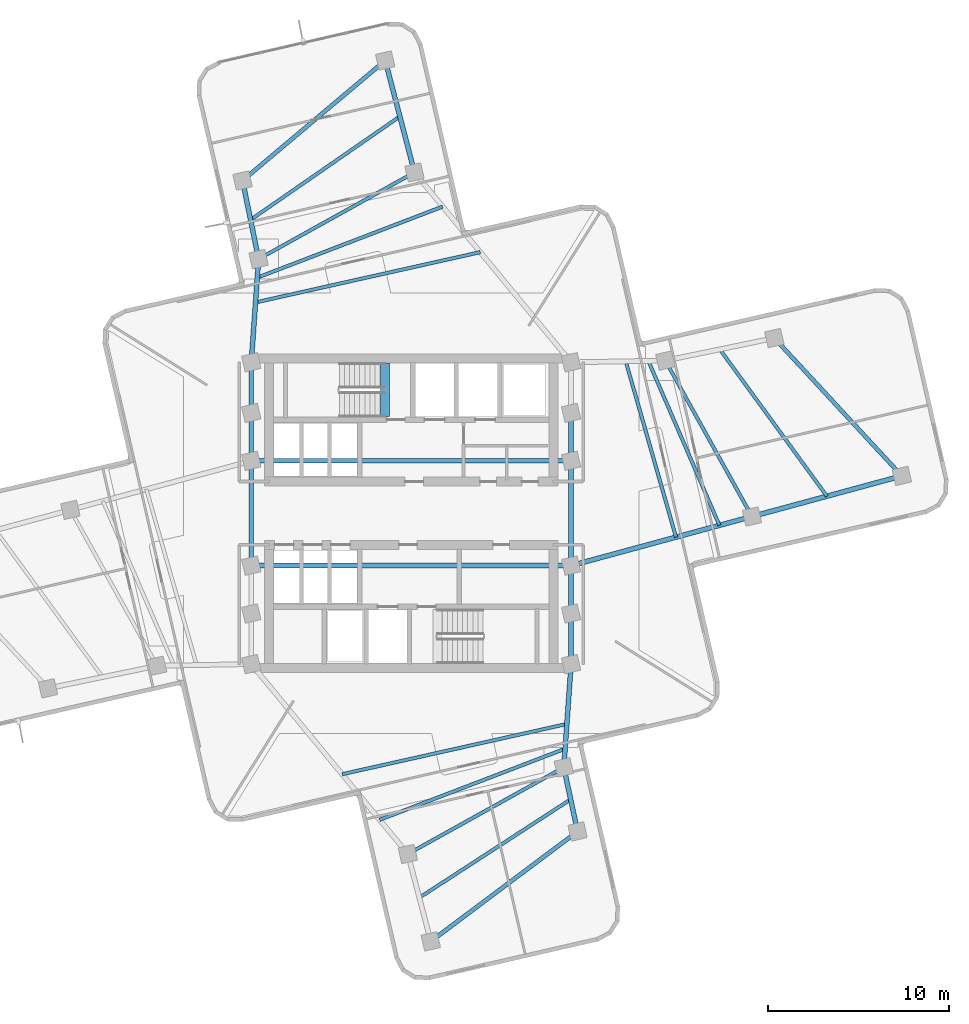
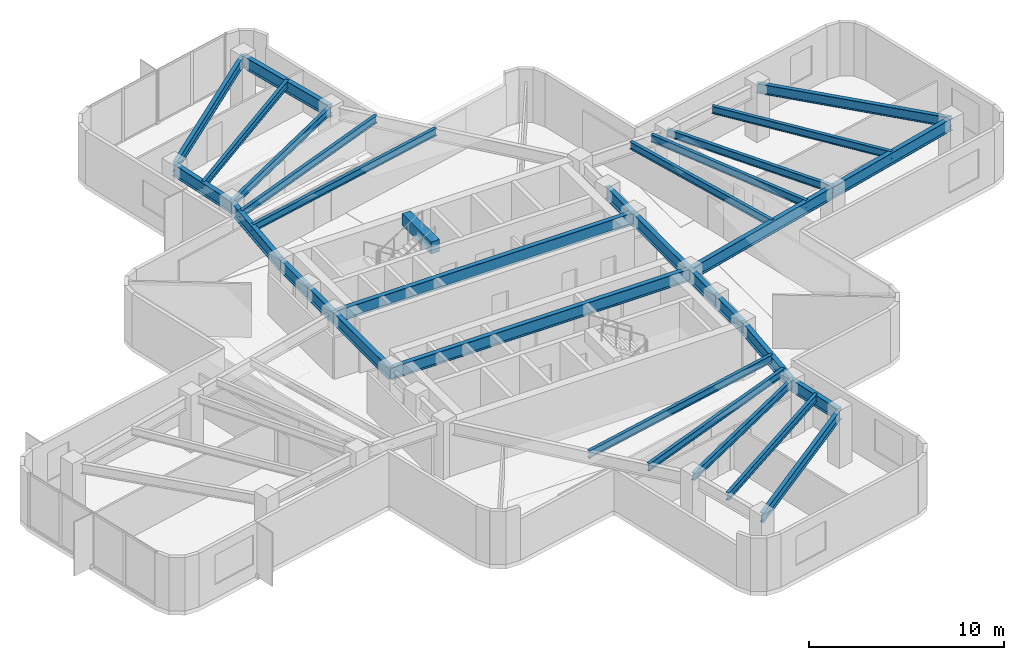
# One storey, part 3 of 11: 32 beams.
"""IFC4 building model written with IfcOpenShell, lengths in metres."""

from ifc_helpers import new_model, si_unit, direction, frame, origin, origin_2d, place, context, subcontext, project, spatial, rectangle, i_section, extrude, material, material_profile, profile_set, type_object, element, save


model = new_model("IFC4")

# Units and contexts
model_context = context("Model", 3, precision=1e-05, world=origin(), true_north=direction((0.0, 1.0)))
body_context = subcontext(model_context, "Body", "Model", "MODEL_VIEW")
ifc_project = project(units=[si_unit("LENGTHUNIT", "METRE"), si_unit("AREAUNIT", "SQUARE_METRE"), si_unit("VOLUMEUNIT", "CUBIC_METRE"), si_unit("PLANEANGLEUNIT", "RADIAN"), si_unit("MASSUNIT", "GRAM", prefix="KILO")], contexts=[model_context])

# Site, building, storey
site_placement = place(None, origin())
site = spatial("IfcSite", under=ifc_project, at=site_placement, CompositionType="ELEMENT")
building_placement = place(site_placement, origin())
building = spatial("IfcBuilding", under=site, at=building_placement, Name="Solmarez Civic Tower", CompositionType="ELEMENT")
storey_placement = place(building_placement, frame((0.0, 0.0, 119.8798828125)))
storey = spatial("IfcBuildingStorey", under=building, at=storey_placement, Name="L31", CompositionType="ELEMENT", Elevation=119.8798828125)

# Beams
ifc_material_1 = material(Name="Steel S355", Category="steel")
ifc_material_profile_1 = material_profile(ifc_material_1, i_section(OverallWidth=0.19189453125, OverallDepth=0.462890625, WebThickness=0.010498046875, FlangeThickness=0.017578125, at=origin_2d()), Name="W18X60")
ifc_profile_set_1 = profile_set([ifc_material_profile_1], Name="Steel S355")
beam_type_1 = type_object("IfcBeamType", Name="BM-JS-W18X60", PredefinedType="JOIST", material=ifc_profile_set_1)
beam_1_placement = place(storey_placement, frame((18.860107421875, -0.18310546875, 3.109130859375), z_axis=(-0.485852902718, 0.874040592261, 0.0), x_axis=(-0.874040592261, -0.485852902718, 0.0)))
element("IfcBeam", 1, at=beam_1_placement, inside=storey, type_object=beam_type_1, Name="L31 Secondary Floor Joist BM-L31-EA-T1", PredefinedType="JOIST", context=body_context, shape_type="SweptSolid", body=[
    extrude(i_section(OverallWidth=0.19189453125, OverallDepth=0.462890625, WebThickness=0.010498046875, FlangeThickness=0.017578125, at=origin_2d()), origin(), (0.0, 0.0, 1.0), 9.87158203125),
])
beam_2_placement = place(storey_placement, frame((23.006103515625, 0.94091796875, 3.109130859375), z_axis=(-0.589058914091, 0.808090091345, 0.0), x_axis=(-0.808090091345, -0.589058914091, 0.0)))
element("IfcBeam", 2, at=beam_2_placement, inside=storey, type_object=beam_type_1, Name="L31 Secondary Floor Joist JS-L31-EA-M2", PredefinedType="JOIST", context=body_context, shape_type="SweptSolid", body=[
    extrude(i_section(OverallWidth=0.19189453125, OverallDepth=0.462890625, WebThickness=0.010498046875, FlangeThickness=0.017578125, at=origin_2d()), origin(), (0.0, 0.0, 1.0), 10.05859375),
])
beam_3_placement = place(storey_placement, frame((14.656005859375, -1.323974609375, 3.109130859375), z_axis=(-0.27492825036, 0.961464745664, 0.0), x_axis=(-0.961464745664, -0.27492825036, 0.0)))
element("IfcBeam", 3, at=beam_3_placement, inside=storey, type_object=beam_type_1, Name="L31 Secondary Floor Joist JS-L31-EA-M11", PredefinedType="JOIST", context=body_context, shape_type="SweptSolid", body=[
    extrude(i_section(OverallWidth=0.19189453125, OverallDepth=0.462890625, WebThickness=0.010498046875, FlangeThickness=0.017578125, at=origin_2d()), origin(), (0.0, 0.0, 1.0), 10.118896484375),
])
beam_4_placement = place(storey_placement, frame((17.05810546875, -0.672119140625, 3.109130859375), z_axis=(-0.396735074316, 0.917933157048, 0.0), x_axis=(-0.917933157048, -0.396735074316, 0.0)))
element("IfcBeam", 4, at=beam_4_placement, inside=storey, type_object=beam_type_1, Name="L31 Secondary Floor Joist JS-L31-EA-M12", PredefinedType="JOIST", context=body_context, shape_type="SweptSolid", body=[
    extrude(i_section(OverallWidth=0.19189453125, OverallDepth=0.462890625, WebThickness=0.010498046875, FlangeThickness=0.017578125, at=origin_2d()), origin(), (0.0, 0.0, 1.0), 9.91357421875),
])
beam_5_placement = place(storey_placement, frame((0.18310546875, 18.860107421875, 3.109130859375), z_axis=(-0.874040592261, -0.485852902718, 0.0), x_axis=(0.485852902718, -0.874040592261, 0.0)))
element("IfcBeam", 5, at=beam_5_placement, inside=storey, type_object=beam_type_1, Name="L31 Secondary Floor Joist BM-L31-NA-T1", PredefinedType="JOIST", context=body_context, shape_type="SweptSolid", body=[
    extrude(i_section(OverallWidth=0.19189453125, OverallDepth=0.462890625, WebThickness=0.010498046875, FlangeThickness=0.017578125, at=origin_2d()), origin(), (0.0, 0.0, 1.0), 9.87158203125),
])
beam_6_placement = place(storey_placement, frame((-0.626953125, 21.9560546875, 3.109130859375), z_axis=(-0.822185194468, -0.56922008573, 0.0), x_axis=(0.56922008573, -0.822185194468, 0.0)))
element("IfcBeam", 6, at=beam_6_placement, inside=storey, type_object=beam_type_1, Name="L31 Secondary Floor Joist JS-L31-NA-M2", PredefinedType="JOIST", context=body_context, shape_type="SweptSolid", body=[
    extrude(i_section(OverallWidth=0.19189453125, OverallDepth=0.462890625, WebThickness=0.010498046875, FlangeThickness=0.017578125, at=origin_2d()), origin(), (0.0, 0.0, 1.0), 10.048828125),
])
beam_7_placement = place(storey_placement, frame((3.822998046875, 14.446044921875, 3.109130859375), z_axis=(-0.975887310906, -0.218274955988, 0.0), x_axis=(0.218274955988, -0.975887310906, 0.0)))
element("IfcBeam", 7, at=beam_7_placement, inside=storey, type_object=beam_type_1, Name="L31 Secondary Floor Joist JS-L31-NA-M11", PredefinedType="JOIST", context=body_context, shape_type="SweptSolid", body=[
    extrude(i_section(OverallWidth=0.19189453125, OverallDepth=0.462890625, WebThickness=0.010498046875, FlangeThickness=0.017578125, at=origin_2d()), origin(), (0.0, 0.0, 1.0), 12.745361328125),
])
beam_8_placement = place(storey_placement, frame((1.742919921875, 16.968017578125, 3.109130859375), z_axis=(-0.933754408709, -0.357914381125, 0.0), x_axis=(0.357914381125, -0.933754408709, 0.0)))
element("IfcBeam", 8, at=beam_8_placement, inside=storey, type_object=beam_type_1, Name="L31 Secondary Floor Joist JS-L31-NA-M12", PredefinedType="JOIST", context=body_context, shape_type="SweptSolid", body=[
    extrude(i_section(OverallWidth=0.19189453125, OverallDepth=0.462890625, WebThickness=0.010498046875, FlangeThickness=0.017578125, at=origin_2d()), origin(), (0.0, 0.0, 1.0), 10.989013671875),
])
beam_9_placement = place(storey_placement, frame((-0.18310546875, -18.860107421875, 3.109130859375), z_axis=(0.874040592261, 0.485852902718, 0.0), x_axis=(-0.485852902718, 0.874040592261, 0.0)))
element("IfcBeam", 9, at=beam_9_placement, inside=storey, type_object=beam_type_1, Name="L31 Secondary Floor Joist BM-L31-SA-T1", PredefinedType="JOIST", context=body_context, shape_type="SweptSolid", body=[
    extrude(i_section(OverallWidth=0.19189453125, OverallDepth=0.462890625, WebThickness=0.010498046875, FlangeThickness=0.017578125, at=origin_2d()), origin(), (0.0, 0.0, 1.0), 9.87158203125),
])
beam_10_placement = place(storey_placement, frame((0.449951171875, -21.279052734375, 3.109130859375), z_axis=(0.83864684805, 0.54467555871, 0.0), x_axis=(-0.54467555871, 0.83864684805, 0.0)))
element("IfcBeam", 10, at=beam_10_placement, inside=storey, type_object=beam_type_1, Name="L31 Secondary Floor Joist JS-L31-SA-M2", PredefinedType="JOIST", context=body_context, shape_type="SweptSolid", body=[
    extrude(i_section(OverallWidth=0.19189453125, OverallDepth=0.462890625, WebThickness=0.010498046875, FlangeThickness=0.017578125, at=origin_2d()), origin(), (0.0, 0.0, 1.0), 9.987548828125),
])
beam_11_placement = place(storey_placement, frame((-3.822998046875, -14.446044921875, 3.109130859375), z_axis=(0.975887310906, 0.218274955988, 0.0), x_axis=(-0.218274955988, 0.975887310906, 0.0)))
element("IfcBeam", 11, at=beam_11_placement, inside=storey, type_object=beam_type_1, Name="L31 Secondary Floor Joist JS-L31-SA-M11", PredefinedType="JOIST", context=body_context, shape_type="SweptSolid", body=[
    extrude(i_section(OverallWidth=0.19189453125, OverallDepth=0.462890625, WebThickness=0.010498046875, FlangeThickness=0.017578125, at=origin_2d()), origin(), (0.0, 0.0, 1.0), 12.745361328125),
])
beam_12_placement = place(storey_placement, frame((-1.742919921875, -16.968017578125, 3.109130859375), z_axis=(0.933754408709, 0.357914381125, 0.0), x_axis=(-0.357914381125, 0.933754408709, 0.0)))
element("IfcBeam", 12, at=beam_12_placement, inside=storey, type_object=beam_type_1, Name="L31 Secondary Floor Joist JS-L31-SA-M12", PredefinedType="JOIST", context=body_context, shape_type="SweptSolid", body=[
    extrude(i_section(OverallWidth=0.19189453125, OverallDepth=0.462890625, WebThickness=0.010498046875, FlangeThickness=0.017578125, at=origin_2d()), origin(), (0.0, 0.0, 1.0), 10.989013671875),
])
ifc_material_2 = material(Name="Concrete C50/60", Category="concrete")
ifc_material_profile_2 = material_profile(ifc_material_2, rectangle(XDim=0.5, YDim=0.75, at=origin_2d()), Name="RC500X750")
ifc_profile_set_2 = profile_set([ifc_material_profile_2], Name="Concrete C50/60")
beam_type_2 = type_object("IfcBeamType", Name="BM-PR-RC500X750", PredefinedType="BEAM", material=ifc_profile_set_2)
beam_13_placement = place(storey_placement, frame((-1.449951171875, 5.340087890625, 3.233154296875), z_axis=(0.0, 1.0, 0.0), x_axis=(-1.0, 0.0, 0.0)))
element("IfcBeam", 13, at=beam_13_placement, inside=storey, type_object=beam_type_2, Name="L31 North Stair Threshold Beam", PredefinedType="BEAM", context=body_context, shape_type="SweptSolid", body=[
    extrude(rectangle(XDim=0.5, YDim=0.75, at=origin_2d()), origin(), (0.0, 0.0, 1.0), 2.9599609375),
])
ifc_material_profile_3 = material_profile(ifc_material_1, i_section(OverallWidth=0.26708984375, OverallDepth=0.761962890625, WebThickness=0.014404296875, FlangeThickness=0.021484375, at=origin_2d()), Name="W30X116")
ifc_profile_set_3 = profile_set([ifc_material_profile_3], Name="Steel S355")
beam_type_3 = type_object("IfcBeamType", Name="BM-PR-W30X116", PredefinedType="BEAM", material=ifc_profile_set_3)
beam_14_placement = place(storey_placement, frame((-8.85009765625, -2.89990234375, 2.959228515625), z_axis=(0.0, 1.0, 0.0), x_axis=(-1.0, 0.0, 0.0)))
element("IfcBeam", 14, at=beam_14_placement, inside=storey, type_object=beam_type_3, Name="L31 Primary Floor Beam BM-L31-HC2-HC3", PredefinedType="BEAM", context=body_context, shape_type="SweptSolid", body=[
    extrude(i_section(OverallWidth=0.26708984375, OverallDepth=0.761962890625, WebThickness=0.014404296875, FlangeThickness=0.021484375, at=origin_2d()), origin(), (0.0, 0.0, 1.0), 5.7998046875),
])
beam_15_placement = place(storey_placement, frame((-8.85009765625, 2.89990234375, 2.959228515625), z_axis=(0.0, 1.0, 0.0), x_axis=(-1.0, 0.0, 0.0)))
element("IfcBeam", 15, at=beam_15_placement, inside=storey, type_object=beam_type_3, Name="L31 Primary Floor Beam BM-L31-HC3-HC4", PredefinedType="BEAM", context=body_context, shape_type="SweptSolid", body=[
    extrude(i_section(OverallWidth=0.26708984375, OverallDepth=0.761962890625, WebThickness=0.014404296875, FlangeThickness=0.021484375, at=origin_2d()), origin(), (0.0, 0.0, 1.0), 2.650146484375),
])
for number, where, z_axis, x_axis, name in (
    (16, (-8.85009765625, 5.550048828125, 2.959228515625), (0.0, 1.0, 0.0), (-1.0, 0.0, 0.0), "L31 Primary Floor Beam BM-L31-HC4-HC9"),
    (17, (8.85009765625, -8.35009765625, 2.959228515625), (0.0, 1.0, 0.0), (-1.0, 0.0, 0.0), "L31 Primary Floor Beam BM-L31-HC10-HC5"),
):
    element("IfcBeam", number, at=place(storey_placement, frame(where, z_axis=z_axis, x_axis=x_axis)), inside=storey, type_object=beam_type_3, Name=name, PredefinedType="BEAM", context=body_context, shape_type="SweptSolid", body=[
        extrude(i_section(OverallWidth=0.26708984375, OverallDepth=0.761962890625, WebThickness=0.014404296875, FlangeThickness=0.021484375, at=origin_2d()), origin(), (0.0, 0.0, 1.0), 2.800048828125),
    ])
beam_16_placement = place(storey_placement, frame((8.85009765625, -5.550048828125, 2.959228515625), z_axis=(0.0, 1.0, 0.0), x_axis=(-1.0, 0.0, 0.0)))
element("IfcBeam", 18, at=beam_16_placement, inside=storey, type_object=beam_type_3, Name="L31 Primary Floor Beam BM-L31-HC5-HC6", PredefinedType="BEAM", context=body_context, shape_type="SweptSolid", body=[
    extrude(i_section(OverallWidth=0.26708984375, OverallDepth=0.761962890625, WebThickness=0.014404296875, FlangeThickness=0.021484375, at=origin_2d()), origin(), (0.0, 0.0, 1.0), 2.650146484375),
])
beam_17_placement = place(storey_placement, frame((8.85009765625, -2.89990234375, 2.959228515625), z_axis=(0.0, 1.0, 0.0), x_axis=(-1.0, 0.0, 0.0)))
element("IfcBeam", 19, at=beam_17_placement, inside=storey, type_object=beam_type_3, Name="L31 Primary Floor Beam BM-L31-HC6-HC7", PredefinedType="BEAM", context=body_context, shape_type="SweptSolid", body=[
    extrude(i_section(OverallWidth=0.26708984375, OverallDepth=0.761962890625, WebThickness=0.014404296875, FlangeThickness=0.021484375, at=origin_2d()), origin(), (0.0, 0.0, 1.0), 5.7998046875),
])
beam_18_placement = place(storey_placement, frame((8.85009765625, 2.89990234375, 2.959228515625), z_axis=(0.0, 1.0, 0.0), x_axis=(-1.0, 0.0, 0.0)))
element("IfcBeam", 20, at=beam_18_placement, inside=storey, type_object=beam_type_3, Name="L31 Primary Floor Beam BM-L31-HC7-HC8", PredefinedType="BEAM", context=body_context, shape_type="SweptSolid", body=[
    extrude(i_section(OverallWidth=0.26708984375, OverallDepth=0.761962890625, WebThickness=0.014404296875, FlangeThickness=0.021484375, at=origin_2d()), origin(), (0.0, 0.0, 1.0), 2.650146484375),
])
for number, where, z_axis, x_axis, name in (
    (21, (-8.85009765625, -2.89990234375, 2.959228515625), (1.0, 0.0, 0.0), (0.0, 1.0, 0.0), "L31 Primary Floor Beam BM-L31-HC2-HC6"),
    (22, (-8.85009765625, 2.89990234375, 2.959228515625), (1.0, 0.0, 0.0), (0.0, 1.0, 0.0), "L31 Primary Floor Beam BM-L31-HC3-HC7"),
):
    element("IfcBeam", number, at=place(storey_placement, frame(where, z_axis=z_axis, x_axis=x_axis)), inside=storey, type_object=beam_type_3, Name=name, PredefinedType="BEAM", context=body_context, shape_type="SweptSolid", body=[
        extrude(i_section(OverallWidth=0.26708984375, OverallDepth=0.761962890625, WebThickness=0.014404296875, FlangeThickness=0.021484375, at=origin_2d()), origin(), (0.0, 0.0, 1.0), 17.7001953125),
    ])
beam_19_placement = place(storey_placement, frame((8.85009765625, -2.89990234375, 2.959228515625), z_axis=(0.965086289853, 0.261932153691, 0.0), x_axis=(-0.261932153691, 0.965086289853, 0.0)))
element("IfcBeam", 23, at=beam_19_placement, inside=storey, type_object=beam_type_3, Name="L31 Primary Floor Beam BM-L31-EA-R1A", PredefinedType="BEAM", context=body_context, shape_type="SweptSolid", body=[
    extrude(i_section(OverallWidth=0.26708984375, OverallDepth=0.761962890625, WebThickness=0.014404296875, FlangeThickness=0.021484375, at=origin_2d()), origin(), (0.0, 0.0, 1.0), 10.3720703125),
])
beam_20_placement = place(storey_placement, frame((18.860107421875, -0.18310546875, 2.959228515625), z_axis=(0.965195296066, 0.261530190326, 0.0), x_axis=(-0.261530190326, 0.965195296066, 0.0)))
element("IfcBeam", 24, at=beam_20_placement, inside=storey, type_object=beam_type_3, Name="L31 Primary Floor Beam BM-L31-EA-R2A", PredefinedType="BEAM", context=body_context, shape_type="SweptSolid", body=[
    extrude(i_section(OverallWidth=0.26708984375, OverallDepth=0.761962890625, WebThickness=0.014404296875, FlangeThickness=0.021484375, at=origin_2d()), origin(), (0.0, 0.0, 1.0), 8.592041015625),
])
beam_21_placement = place(storey_placement, frame((-8.85009765625, 8.35009765625, 2.959228515625), z_axis=(0.070707897353, 0.997497064282, 0.0), x_axis=(-0.997497064282, 0.070707897353, 0.0)))
element("IfcBeam", 25, at=beam_21_placement, inside=storey, type_object=beam_type_3, Name="L31 Primary Floor Beam BM-L31-NA-R1B", PredefinedType="BEAM", context=body_context, shape_type="SweptSolid", body=[
    extrude(i_section(OverallWidth=0.26708984375, OverallDepth=0.761962890625, WebThickness=0.014404296875, FlangeThickness=0.021484375, at=origin_2d()), origin(), (0.0, 0.0, 1.0), 5.728271484375),
])
beam_22_placement = place(storey_placement, frame((0.18310546875, 18.860107421875, 2.959228515625), z_axis=(-0.25312990791, 0.967432297229, 0.0), x_axis=(-0.967432297229, -0.25312990791, 0.0)))
element("IfcBeam", 26, at=beam_22_placement, inside=storey, type_object=beam_type_3, Name="L31 Primary Floor Beam BM-L31-NA-R2A", PredefinedType="BEAM", context=body_context, shape_type="SweptSolid", body=[
    extrude(i_section(OverallWidth=0.26708984375, OverallDepth=0.761962890625, WebThickness=0.014404296875, FlangeThickness=0.021484375, at=origin_2d()), origin(), (0.0, 0.0, 1.0), 6.400390625),
])
beam_23_placement = place(storey_placement, frame((-8.445068359375, 14.06396484375, 2.959228515625), z_axis=(-0.200222099018, 0.979750535118, 0.0), x_axis=(-0.979750535118, -0.200222099018, 0.0)))
element("IfcBeam", 27, at=beam_23_placement, inside=storey, type_object=beam_type_3, Name="L31 Primary Floor Beam BM-L31-NA-R2B", PredefinedType="BEAM", context=body_context, shape_type="SweptSolid", body=[
    extrude(i_section(OverallWidth=0.26708984375, OverallDepth=0.761962890625, WebThickness=0.014404296875, FlangeThickness=0.021484375, at=origin_2d()), origin(), (0.0, 0.0, 1.0), 4.434814453125),
])
beam_24_placement = place(storey_placement, frame((8.85009765625, -8.35009765625, 2.959228515625), z_axis=(-0.070707897353, -0.997497064282, 0.0), x_axis=(0.997497064282, -0.070707897353, 0.0)))
element("IfcBeam", 28, at=beam_24_placement, inside=storey, type_object=beam_type_3, Name="L31 Primary Floor Beam BM-L31-SA-R1B", PredefinedType="BEAM", context=body_context, shape_type="SweptSolid", body=[
    extrude(i_section(OverallWidth=0.26708984375, OverallDepth=0.761962890625, WebThickness=0.014404296875, FlangeThickness=0.021484375, at=origin_2d()), origin(), (0.0, 0.0, 1.0), 5.728271484375),
])
beam_25_placement = place(storey_placement, frame((8.445068359375, -14.06396484375, 2.959228515625), z_axis=(0.210056967216, -0.977689148208, 0.0), x_axis=(0.977689148208, 0.210056967216, 0.0)))
element("IfcBeam", 29, at=beam_25_placement, inside=storey, type_object=beam_type_3, Name="L31 Primary Floor Beam BM-L31-SA-R2B", PredefinedType="BEAM", context=body_context, shape_type="SweptSolid", body=[
    extrude(i_section(OverallWidth=0.26708984375, OverallDepth=0.761962890625, WebThickness=0.014404296875, FlangeThickness=0.021484375, at=origin_2d()), origin(), (0.0, 0.0, 1.0), 3.632080078125),
])
ifc_material_profile_4 = material_profile(ifc_material_1, i_section(OverallWidth=0.22900390625, OverallDepth=0.612060546875, WebThickness=0.011962890625, FlangeThickness=0.01953125, at=origin_2d()), Name="W24X84")
ifc_profile_set_4 = profile_set([ifc_material_profile_4], Name="Steel S355")
beam_type_4 = type_object("IfcBeamType", Name="BM-SP-W24X84", PredefinedType="SPANDREL", material=ifc_profile_set_4)
beam_26_placement = place(storey_placement, frame((27.153076171875, 2.06396484375, 3.0341796875), z_axis=(-0.679007792344, 0.734131063187, 0.0), x_axis=(-0.734131063187, -0.679007792344, 0.0)))
element("IfcBeam", 30, at=beam_26_placement, inside=storey, type_object=beam_type_4, Name="L31 Perimeter Spandrel Beam BM-L31-EA-T2", PredefinedType="SPANDREL", context=body_context, shape_type="SweptSolid", body=[
    extrude(i_section(OverallWidth=0.22900390625, OverallDepth=0.612060546875, WebThickness=0.011962890625, FlangeThickness=0.01953125, at=origin_2d()), origin(), (0.0, 0.0, 1.0), 10.390380859375),
])
beam_27_placement = place(storey_placement, frame((-1.43701171875, 25.052001953125, 3.0341796875), z_axis=(-0.765206846446, -0.643784499777, 0.0), x_axis=(0.643784499777, -0.765206846446, 0.0)))
element("IfcBeam", 31, at=beam_27_placement, inside=storey, type_object=beam_type_4, Name="L31 Perimeter Spandrel Beam BM-L31-NA-T2", PredefinedType="SPANDREL", context=body_context, shape_type="SweptSolid", body=[
    extrude(i_section(OverallWidth=0.22900390625, OverallDepth=0.612060546875, WebThickness=0.011962890625, FlangeThickness=0.01953125, at=origin_2d()), origin(), (0.0, 0.0, 1.0), 10.31884765625),
])
beam_28_placement = place(storey_placement, frame((1.0830078125, -23.697021484375, 3.0341796875), z_axis=(0.800553888314, 0.599260771205, 0.0), x_axis=(-0.599260771205, 0.800553888314, 0.0)))
element("IfcBeam", 32, at=beam_28_placement, inside=storey, type_object=beam_type_4, Name="L31 Perimeter Spandrel Beam BM-L31-SA-T2", PredefinedType="SPANDREL", context=body_context, shape_type="SweptSolid", body=[
    extrude(i_section(OverallWidth=0.22900390625, OverallDepth=0.612060546875, WebThickness=0.011962890625, FlangeThickness=0.01953125, at=origin_2d()), origin(), (0.0, 0.0, 1.0), 10.149169921875),
])

save(model, "model.ifc")
